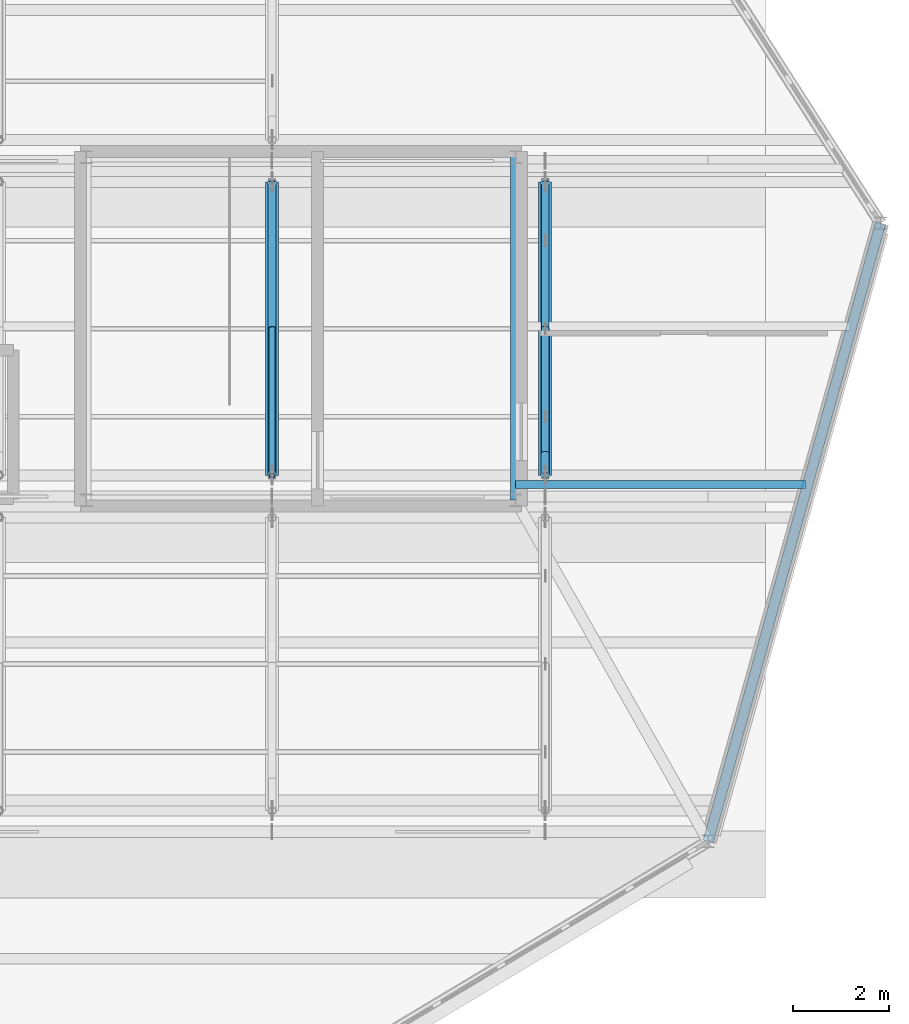
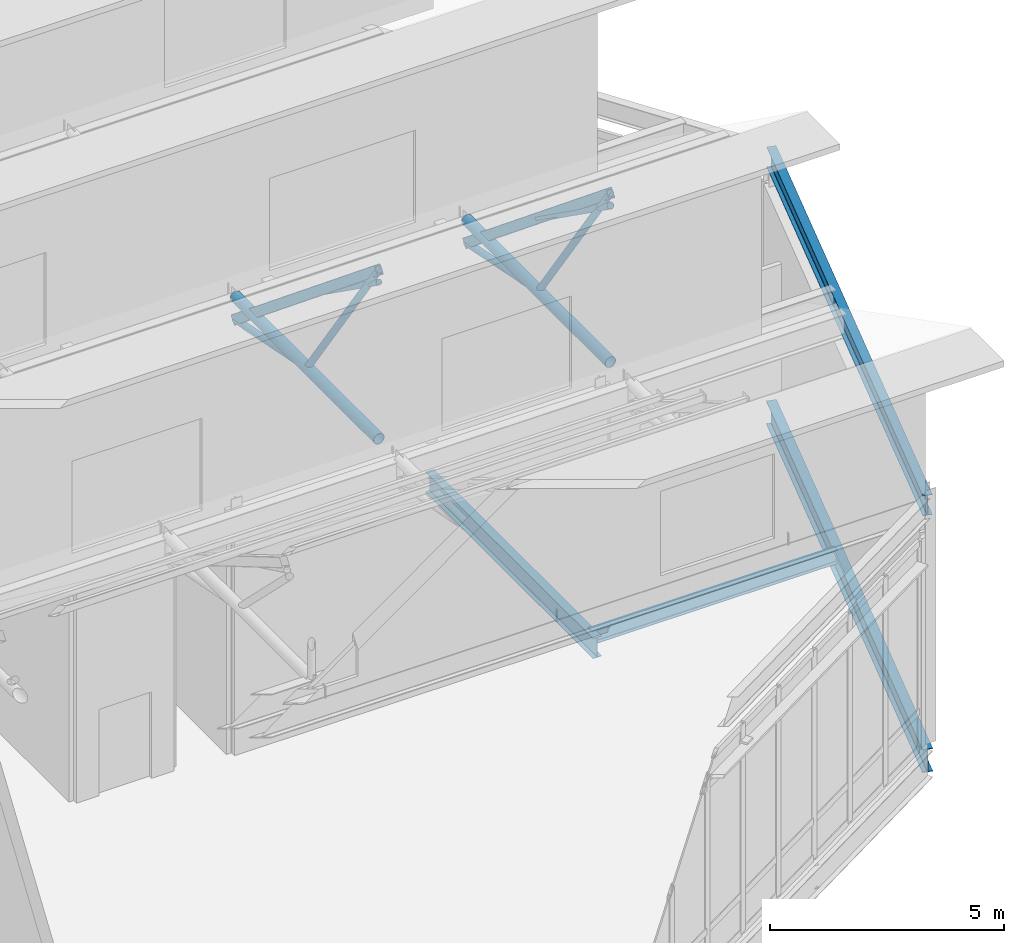
# One storey, part 23 of 55: 10 members, 4 beams.
"""IFC4 building model written with IfcOpenShell, lengths in metres."""

from ifc_helpers import new_model, si_unit, direction, frame, origin, origin_2d, place, context, subcontext, project, spatial, hollow_rectangle, hollow_circle, i_section, extrude, material, material_profile, profile_set, type_object, element, save


model = new_model("IFC4")

# Units and contexts
model_context = context("Model", 3, precision=1e-05, world=origin(), true_north=direction((0.0, 1.0)))
body_context = subcontext(model_context, "Body", "Model", "MODEL_VIEW")
ifc_project = project(units=[si_unit("LENGTHUNIT", "METRE"), si_unit("AREAUNIT", "SQUARE_METRE"), si_unit("VOLUMEUNIT", "CUBIC_METRE"), si_unit("PLANEANGLEUNIT", "RADIAN"), si_unit("MASSUNIT", "GRAM", prefix="KILO")], contexts=[model_context])

# Site, building, storey
site_placement = place(None, origin())
site = spatial("IfcSite", under=ifc_project, at=site_placement, CompositionType="ELEMENT")
building_placement = place(site_placement, origin())
building = spatial("IfcBuilding", under=site, at=building_placement, Name="Tameran Prism Museum", CompositionType="ELEMENT")
storey_placement = place(building_placement, frame((0.0, 0.0, 28.800048828125)))
storey = spatial("IfcBuildingStorey", under=building, at=storey_placement, Name="L05", CompositionType="ELEMENT", Elevation=28.800048828125)

# Beams
ifc_material_1 = material(Name="Steel Grade 300PLUS (300 MPa)", Category="steel")
ifc_material_profile_1 = material_profile(ifc_material_1, i_section(OverallWidth=0.172119140625, OverallDepth=0.35888671875, WebThickness=0.008056640625, FlangeThickness=0.012939453125, FilletRadius=0.011474609375, at=origin_2d()))
ifc_profile_set_1 = profile_set([ifc_material_profile_1])
beam_type_1 = type_object("IfcBeamType", Name="BM-J360A", PredefinedType="JOIST", material=ifc_profile_set_1)
beam_1_placement = place(storey_placement, frame((135.47998046875, 79.75, -0.41943359375), z_axis=(1.0, 0.0, 0.0), x_axis=(0.0, 1.0, 0.0)))
element("IfcBeam", 1, at=beam_1_placement, inside=storey, type_object=beam_type_1, Name="Floor Beam BM-1298", PredefinedType="JOIST", context=body_context, shape_type="SweptSolid", body=[
    extrude(i_section(OverallWidth=0.172119140625, OverallDepth=0.35888671875, WebThickness=0.008056640625, FlangeThickness=0.012939453125, FilletRadius=0.011474609375, at=origin_2d()), origin(), (0.0, 0.0, 1.0), 6.05810546875),
])
ifc_material_2 = material(Name="Steel Grade 300PLUS (300 MPa)", Category="steel")
ifc_material_profile_2 = material_profile(ifc_material_2, i_section(OverallWidth=0.208984375, OverallDepth=0.528076171875, WebThickness=0.009521484375, FlangeThickness=0.01318359375, FilletRadius=0.013916015625, at=origin_2d()))
ifc_profile_set_2 = profile_set([ifc_material_profile_2])
beam_type_2 = type_object("IfcBeamType", Name="BM-SP530B", PredefinedType="SPANDREL", material=ifc_profile_set_2)
beam_2_placement = place(storey_placement, frame((139.5, 72.300048828125, 6.10595703125), z_axis=(0.268807620494, 0.96319388659, 0.0), x_axis=(-0.96319388659, 0.268807620494, 0.0)))
element("IfcBeam", 2, at=beam_2_placement, inside=storey, type_object=beam_type_2, Name="Roof Ring Beam RB-1258", PredefinedType="SPANDREL", context=body_context, shape_type="SweptSolid", body=[
    extrude(i_section(OverallWidth=0.208984375, OverallDepth=0.528076171875, WebThickness=0.009521484375, FlangeThickness=0.01318359375, FilletRadius=0.013916015625, at=origin_2d()), origin(), (0.0, 0.0, 1.0), 13.392822265625),
])
beam_3_placement = place(storey_placement, frame((135.47998046875, 79.419921875, -0.504150390625), z_axis=(0.0, 1.0, 0.0), x_axis=(-1.0, 0.0, 0.0)))
element("IfcBeam", 3, at=beam_3_placement, inside=storey, type_object=beam_type_2, Name="Core Ring Beam CTB-1276", PredefinedType="SPANDREL", context=body_context, shape_type="SweptSolid", body=[
    extrude(i_section(OverallWidth=0.208984375, OverallDepth=0.528076171875, WebThickness=0.009521484375, FlangeThickness=0.01318359375, FilletRadius=0.013916015625, at=origin_2d()), origin(), (0.0, 0.0, 1.0), 7.16015625),
])
ifc_material_3 = material(Name="Steel Grade 300PLUS (300 MPa)", Category="steel")
ifc_material_profile_3 = material_profile(ifc_material_3, i_section(OverallWidth=0.22802734375, OverallDepth=0.60205078125, WebThickness=0.010498046875, FlangeThickness=0.014892578125, FilletRadius=0.013916015625, at=origin_2d()))
ifc_profile_set_3 = profile_set([ifc_material_profile_3])
beam_type_3 = type_object("IfcBeamType", Name="BM-SP610", PredefinedType="SPANDREL", material=ifc_profile_set_3)
beam_4_placement = place(storey_placement, frame((139.5, 72.300048828125, -0.541015625), z_axis=(0.268807620494, 0.96319388659, 0.0), x_axis=(-0.96319388659, 0.268807620494, 0.0)))
element("IfcBeam", 4, at=beam_4_placement, inside=storey, type_object=beam_type_3, Name="Perimeter Spandrel SP-1253", PredefinedType="SPANDREL", context=body_context, shape_type="SweptSolid", body=[
    extrude(i_section(OverallWidth=0.22802734375, OverallDepth=0.60205078125, WebThickness=0.010498046875, FlangeThickness=0.014892578125, FilletRadius=0.013916015625, at=origin_2d()), origin(), (0.0, 0.0, 1.0), 13.392822265625),
])

# Members
ifc_material_4 = material(Name="Steel Grade C350L0 (350 MPa)", Category="steel")
ifc_material_profile_4 = material_profile(ifc_material_4, hollow_circle(Radius=0.084228515625, WallThickness=0.007080078125, at=origin_2d()))
ifc_profile_set_4 = profile_set([ifc_material_profile_4])
member_type_1 = type_object("IfcMemberType", Name="MM-BR-CHS168", PredefinedType="BRACE", material=ifc_profile_set_4)
member_1_placement = place(storey_placement, frame((130.39990234375, 83.0, 6.385986328125), z_axis=(0.0, -0.570800267729, 0.821088944244), x_axis=(1.0, 0.0, 0.0)))
element("IfcMember", 5, at=member_1_placement, inside=storey, type_object=member_type_1, Name="Sawtooth Brace STM-0068", PredefinedType="BRACE", context=body_context, shape_type="SweptSolid", body=[
    extrude(hollow_circle(Radius=0.084228515625, WallThickness=0.007080078125, at=origin_2d()), origin(), (0.0, 0.0, 1.0), 5.361083984375),
])
member_2_placement = place(storey_placement, frame((130.39990234375, 83.0, 6.385986328125), z_axis=(0.0, 0.981426640065, -0.191837822575), x_axis=(-1.0, 0.0, 0.0)))
element("IfcMember", 6, at=member_2_placement, inside=storey, type_object=member_type_1, Name="Sawtooth Brace STM-0069", PredefinedType="BRACE", context=body_context, shape_type="SweptSolid", body=[
    extrude(hollow_circle(Radius=0.084228515625, WallThickness=0.007080078125, at=origin_2d()), origin(), (0.0, 0.0, 1.0), 3.117919921875),
])
member_3_placement = place(storey_placement, frame((136.10009765625, 83.0, 6.385986328125), z_axis=(0.0, -0.570800267729, 0.821088944244), x_axis=(1.0, 0.0, 0.0)))
element("IfcMember", 7, at=member_3_placement, inside=storey, type_object=member_type_1, Name="Sawtooth Brace STM-0075", PredefinedType="BRACE", context=body_context, shape_type="SweptSolid", body=[
    extrude(hollow_circle(Radius=0.084228515625, WallThickness=0.007080078125, at=origin_2d()), origin(), (0.0, 0.0, 1.0), 5.361083984375),
])
member_4_placement = place(storey_placement, frame((136.10009765625, 83.0, 6.385986328125), z_axis=(0.0, 0.981426640065, -0.191837822575), x_axis=(-1.0, 0.0, 0.0)))
element("IfcMember", 8, at=member_4_placement, inside=storey, type_object=member_type_1, Name="Sawtooth Brace STM-0076", PredefinedType="BRACE", context=body_context, shape_type="SweptSolid", body=[
    extrude(hollow_circle(Radius=0.084228515625, WallThickness=0.007080078125, at=origin_2d()), origin(), (0.0, 0.0, 1.0), 3.117919921875),
])
ifc_material_5 = material(Name="Steel Grade C350L0 (350 MPa)", Category="steel")
ifc_material_profile_5 = material_profile(ifc_material_5, hollow_circle(Radius=0.136474609375, WallThickness=0.00927734375, at=origin_2d()))
ifc_profile_set_5 = profile_set([ifc_material_profile_5])
member_type_2 = type_object("IfcMemberType", Name="MM-CH-CHS273", PredefinedType="CHORD", material=ifc_profile_set_5)
for number, where, z_axis, x_axis, name in (
    (9, (130.39990234375, 79.93994140625, 6.385986328125), (0.0, 1.0, 0.0), (-1.0, 0.0, 0.0), "Sawtooth Chord STM-0064"),
    (10, (136.10009765625, 79.93994140625, 6.385986328125), (0.0, 1.0, 0.0), (-1.0, 0.0, 0.0), "Sawtooth Chord STM-0071"),
):
    element("IfcMember", number, at=place(storey_placement, frame(where, z_axis=z_axis, x_axis=x_axis)), inside=storey, type_object=member_type_2, Name=name, PredefinedType="CHORD", context=body_context, shape_type="SweptSolid", body=[
        extrude(hollow_circle(Radius=0.136474609375, WallThickness=0.00927734375, at=origin_2d()), origin(), (0.0, 0.0, 1.0), 6.1201171875),
    ])
ifc_material_6 = material(Name="Steel Grade C350L0 (350 MPa)", Category="steel")
ifc_material_profile_6 = material_profile(ifc_material_6, hollow_rectangle(XDim=0.14990234375, YDim=0.25, WallThickness=0.009033203125, InnerFilletRadius=0.013427734375, OuterFilletRadius=0.0224609375, at=origin_2d()))
ifc_profile_set_6 = profile_set([ifc_material_profile_6])
member_type_3 = type_object("IfcMemberType", Name="MM-RF-RHS250", PredefinedType="RAFTER", material=ifc_profile_set_6)
for number, where, z_axis, x_axis, name in (
    (11, (130.39990234375, 79.93994140625, 10.787841796875), (0.0, 0.774414062505, -0.632679112817), (-1.0, 0.0, 0.0), "Sawtooth Rafter STM-0065"),
    (12, (136.10009765625, 79.93994140625, 10.787841796875), (0.0, 0.774414062505, -0.632679112817), (-1.0, 0.0, 0.0), "Sawtooth Rafter STM-0072"),
):
    element("IfcMember", number, at=place(storey_placement, frame(where, z_axis=z_axis, x_axis=x_axis)), inside=storey, type_object=member_type_3, Name=name, PredefinedType="RAFTER", context=body_context, shape_type="SweptSolid", body=[
        extrude(hollow_rectangle(XDim=0.14990234375, YDim=0.25, WallThickness=0.009033203125, InnerFilletRadius=0.013427734375, OuterFilletRadius=0.0224609375, at=origin_2d()), origin(), (0.0, 0.0, 1.0), 7.90283203125),
    ])
ifc_material_7 = material(Name="Steel Grade C350L0 (350 MPa)", Category="steel")
ifc_material_profile_7 = material_profile(ifc_material_7, hollow_circle(Radius=0.06982421875, WallThickness=0.00634765625, at=origin_2d()))
ifc_profile_set_7 = profile_set([ifc_material_profile_7])
member_type_4 = type_object("IfcMemberType", Name="MM-ST-CHS140", PredefinedType="STRUT", material=ifc_profile_set_7)
member_5_placement = place(storey_placement, frame((130.39990234375, 79.93994140625, 10.468017578125), z_axis=(0.0, 0.814435342728, -0.580254317102), x_axis=(-1.0, 0.0, 0.0)))
element("IfcMember", 13, at=member_5_placement, inside=storey, type_object=member_type_4, Name="Sawtooth Strut STM-0070", PredefinedType="STRUT", context=body_context, shape_type="SweptSolid", body=[
    extrude(hollow_circle(Radius=0.06982421875, WallThickness=0.00634765625, at=origin_2d()), origin(), (0.0, 0.0, 1.0), 3.75732421875),
])
ifc_material_8 = material(Name="Steel Grade C350L0 (350 MPa)", Category="steel")
ifc_material_profile_8 = material_profile(ifc_material_8, hollow_circle(Radius=0.084228515625, WallThickness=0.007080078125, at=origin_2d()))
ifc_profile_set_8 = profile_set([ifc_material_profile_8])
member_type_5 = type_object("IfcMemberType", Name="MM-ST-CHS168", PredefinedType="STRUT", material=ifc_profile_set_8)
member_6_placement = place(storey_placement, frame((136.10009765625, 79.93994140625, 10.468017578125), z_axis=(0.0, 0.814435342728, -0.580254317102), x_axis=(-1.0, 0.0, 0.0)))
element("IfcMember", 14, at=member_6_placement, inside=storey, type_object=member_type_5, Name="Sawtooth Strut STM-0077", PredefinedType="STRUT", context=body_context, shape_type="SweptSolid", body=[
    extrude(hollow_circle(Radius=0.084228515625, WallThickness=0.007080078125, at=origin_2d()), origin(), (0.0, 0.0, 1.0), 3.75732421875),
])

save(model, "model.ifc")
